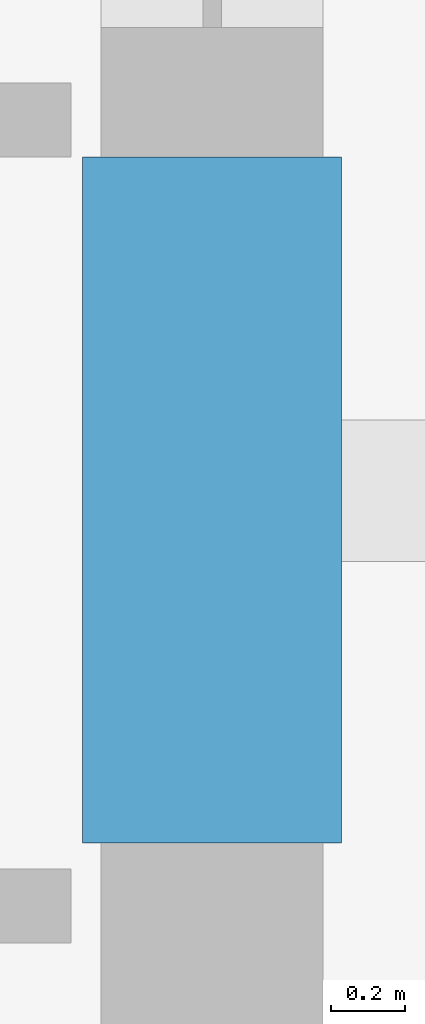
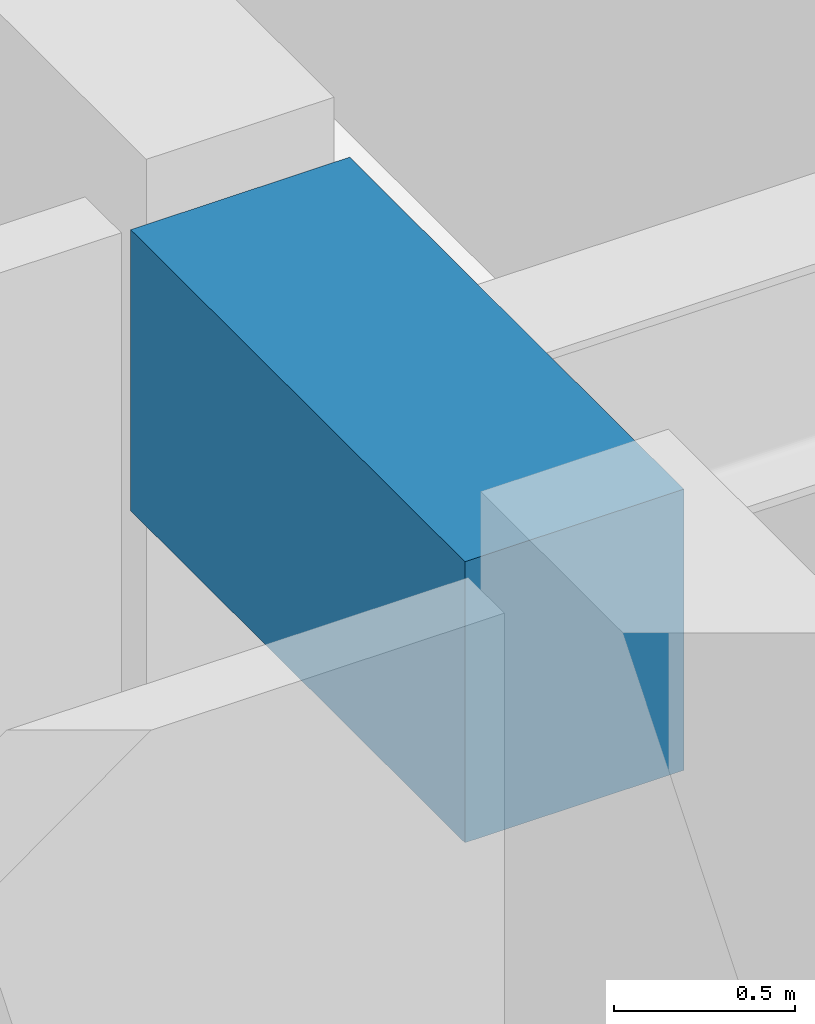
# One storey, part 12 of 38: 1 beam.
"""IFC4 building model written with IfcOpenShell, lengths in metres."""

from ifc_helpers import new_model, si_unit, direction, frame, origin, origin_2d, place, context, subcontext, project, spatial, rectangle, extrude, material, material_profile, profile_set, type_object, element, save


model = new_model("IFC4")

# Units and contexts
model_context = context("Model", 3, precision=1e-05, world=origin(), true_north=direction((0.0, 1.0)))
body_context = subcontext(model_context, "Body", "Model", "MODEL_VIEW")
ifc_project = project(units=[si_unit("LENGTHUNIT", "METRE"), si_unit("AREAUNIT", "SQUARE_METRE"), si_unit("VOLUMEUNIT", "CUBIC_METRE"), si_unit("PLANEANGLEUNIT", "RADIAN"), si_unit("MASSUNIT", "GRAM", prefix="KILO")], contexts=[model_context])

# Site, building, storey
site_placement = place(None, origin())
site = spatial("IfcSite", under=ifc_project, at=site_placement, CompositionType="ELEMENT")
building_placement = place(site_placement, origin())
building = spatial("IfcBuilding", under=site, at=building_placement, Name="Kolvaren Belvedere", CompositionType="ELEMENT")
storey_placement = place(building_placement, frame((0.0, 0.0, 72.199951171875)))
storey = spatial("IfcBuildingStorey", under=building, at=storey_placement, Name="L20", CompositionType="ELEMENT", Elevation=72.199951171875)

# Beam
ifc_material = material(Name="Concrete C60/75", Category="concrete")
ifc_material_profile = material_profile(ifc_material, rectangle(XDim=0.699951171875, YDim=0.949951171875, at=origin_2d()), Name="RC 700X950")
ifc_profile_set = profile_set([ifc_material_profile], Name="Concrete C60/75")
beam_type = type_object("IfcBeamType", Name="BM-LINT-950", PredefinedType="LINTEL", material=ifc_profile_set)
beam_placement = place(storey_placement, frame((9.89990234375, -5.550048828125, 2.60498046875), z_axis=(0.0, 1.0, 0.0), x_axis=(-1.0, 0.0, 0.0)))
element("IfcBeam", 1, at=beam_placement, inside=storey, type_object=beam_type, Name="L20 East Core Coupling Lintel", PredefinedType="LINTEL", context=body_context, shape_type="SweptSolid", body=[
    extrude(rectangle(XDim=0.699951171875, YDim=0.949951171875, at=origin_2d()), origin(), (0.0, 0.0, 1.0), 1.85009765625),
])

save(model, "model.ifc")
